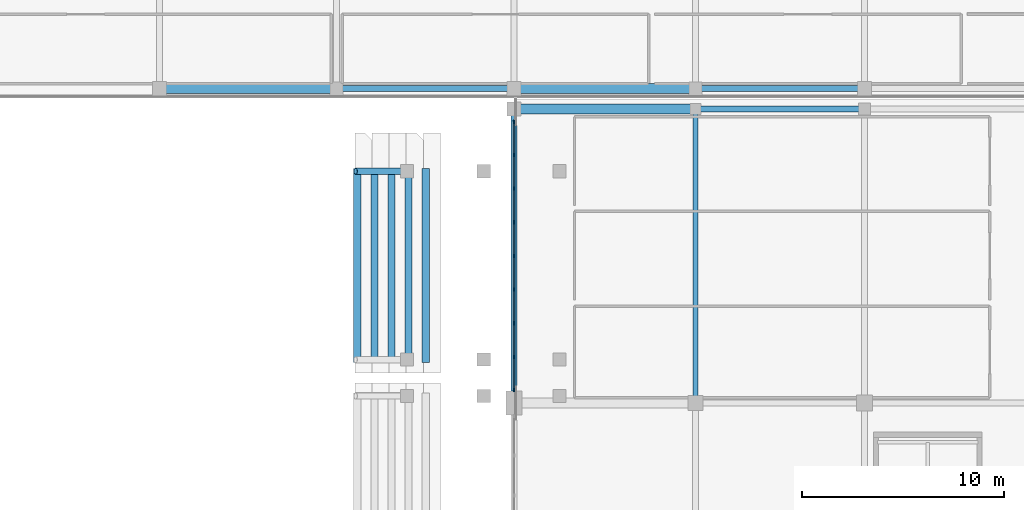
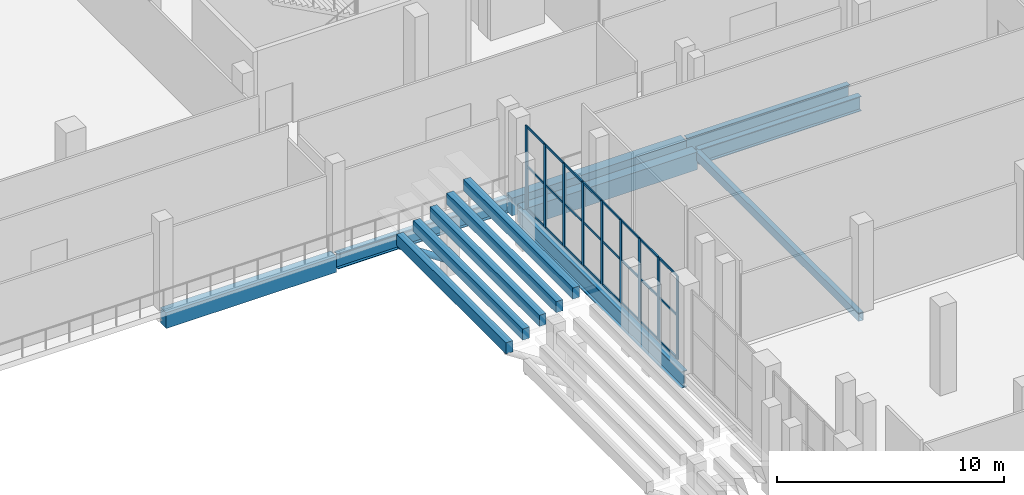
# One storey, part 55 of 142: 34 members, 13 beams, 1 element without a shape of its own.
"""IFC4 building model written with IfcOpenShell, lengths in metres."""

from ifc_helpers import new_model, si_unit, direction, frame, origin, origin_2d, place, context, subcontext, project, spatial, rectangle, hollow_rectangle, hollow_circle, i_section, extrude, material, material_profile, profile_set, type_object, element, aggregate, save


model = new_model("IFC4")

# Units and contexts
model_context = context("Model", 3, precision=1e-05, world=origin(), true_north=direction((0.0, 1.0)))
body_context = subcontext(model_context, "Body", "Model", "MODEL_VIEW")
ifc_project = project(units=[si_unit("LENGTHUNIT", "METRE"), si_unit("AREAUNIT", "SQUARE_METRE"), si_unit("VOLUMEUNIT", "CUBIC_METRE"), si_unit("PLANEANGLEUNIT", "RADIAN"), si_unit("MASSUNIT", "GRAM", prefix="KILO")], contexts=[model_context])

# Site, building, storey
site_placement = place(None, origin())
site = spatial("IfcSite", under=ifc_project, at=site_placement, CompositionType="ELEMENT")
building_placement = place(site_placement, origin())
building = spatial("IfcBuilding", under=site, at=building_placement, Name="Koshinbarg Plaza Stadium", CompositionType="ELEMENT")
storey_placement = place(building_placement, frame((0.0, 0.0, 10.199951171875)))
storey = spatial("IfcBuildingStorey", under=building, at=storey_placement, Name="L02", CompositionType="ELEMENT", Elevation=10.199951171875)

# Beams
ifc_material_1 = material(Name="Concrete C40/50", Category="concrete")
ifc_material_profile_1 = material_profile(ifc_material_1, rectangle(XDim=0.35009765625, YDim=0.60009765625, at=origin_2d()), Name="RC 350x600")
ifc_profile_set_1 = profile_set([ifc_material_profile_1], Name="Concrete C40/50")
beam_type_1 = type_object("IfcBeamType", Name="BM-RCG-01", PredefinedType="SPANDREL", material=ifc_profile_set_1)
for number, where, z_axis, x_axis, name in (
    (1, (172.6201171875, 113.89990234375, 2.52001953125), (0.0, 1.0, 0.0), (-1.0, 0.0, 0.0), "Upper tier seat bearer UT-E08-R01"),
    (2, (173.469970703125, 113.89990234375, 2.9599609375), (0.0, 1.0, 0.0), (-1.0, 0.0, 0.0), "Upper tier seat bearer UT-E08-R02"),
    (3, (174.320068359375, 113.89990234375, 3.400146484375), (0.0, 1.0, 0.0), (-1.0, 0.0, 0.0), "Upper tier seat bearer UT-E08-R03"),
    (4, (175.169921875, 113.89990234375, 3.840087890625), (0.0, 1.0, 0.0), (-1.0, 0.0, 0.0), "Upper tier seat bearer UT-E08-R04"),
    (5, (176.02001953125, 113.89990234375, 4.280029296875), (0.0, 1.0, 0.0), (-1.0, 0.0, 0.0), "Upper tier seat bearer UT-E08-R05"),
):
    element("IfcBeam", number, at=place(storey_placement, frame(where, z_axis=z_axis, x_axis=x_axis)), inside=storey, type_object=beam_type_1, Name=name, PredefinedType="SPANDREL", context=body_context, shape_type="SweptSolid", body=[
        extrude(rectangle(XDim=0.35009765625, YDim=0.60009765625, at=origin_2d()), origin(), (0.0, 0.0, 1.0), 9.650146484375),
    ])
ifc_material_profile_2 = material_profile(ifc_material_1, rectangle(XDim=0.5, YDim=0.85009765625, at=origin_2d()), Name="RC 500x850")
ifc_profile_set_2 = profile_set([ifc_material_profile_2], Name="Concrete C40/50")
beam_type_2 = type_object("IfcBeamType", Name="BM-RCG-05", PredefinedType="USERDEFINED", material=ifc_profile_set_2)
beam_1_placement = place(storey_placement, frame((162.860107421875, 127.5, -0.724853515625), z_axis=(1.0, 0.0, 0.0), x_axis=(0.0, 1.0, 0.0)))
element("IfcBeam", 6, at=beam_1_placement, inside=storey, type_object=beam_type_2, Name="L02 X girder S/15-16", ObjectType="GIRDER", PredefinedType="USERDEFINED", context=body_context, shape_type="SweptSolid", body=[
    extrude(rectangle(XDim=0.5, YDim=0.85009765625, at=origin_2d()), origin(), (0.0, 0.0, 1.0), 8.679931640625),
])
ifc_material_profile_3 = material_profile(ifc_material_1, rectangle(XDim=0.5, YDim=0.949951171875, at=origin_2d()), Name="RC 500x950")
ifc_profile_set_3 = profile_set([ifc_material_profile_3], Name="Concrete C40/50")
beam_type_3 = type_object("IfcBeamType", Name="BM-RCG-06", PredefinedType="USERDEFINED", material=ifc_profile_set_3)
for number, where, z_axis, x_axis, name in (
    (7, (180.4599609375, 126.5, -0.77490234375), (1.0, 0.0, 0.0), (0.0, 1.0, 0.0), "L02 X girder R/17-18"),
    (8, (180.4599609375, 127.5, -0.77490234375), (1.0, 0.0, 0.0), (0.0, 1.0, 0.0), "L02 X girder S/17-18"),
):
    element("IfcBeam", number, at=place(storey_placement, frame(where, z_axis=z_axis, x_axis=x_axis)), inside=storey, type_object=beam_type_3, Name=name, ObjectType="GIRDER", PredefinedType="USERDEFINED", context=body_context, shape_type="SweptSolid", body=[
        extrude(rectangle(XDim=0.5, YDim=0.949951171875, at=origin_2d()), origin(), (0.0, 0.0, 1.0), 8.880126953125),
    ])
ifc_material_2 = material(Name="Steel S355", Category="steel")
ifc_material_profile_4 = material_profile(ifc_material_2, i_section(OverallWidth=0.300048828125, OverallDepth=0.800048828125, WebThickness=0.017578125, FlangeThickness=0.032958984375, at=origin_2d()), Name="HEB 800")
ifc_profile_set_4 = profile_set([ifc_material_profile_4], Name="Steel S355")
beam_type_4 = type_object("IfcBeamType", Name="BM-SGIR-04", PredefinedType="USERDEFINED", material=ifc_profile_set_4)
beam_2_placement = place(storey_placement, frame((189.4599609375, 126.5, -0.699951171875), z_axis=(1.0, 0.0, 0.0), x_axis=(0.0, 1.0, 0.0)))
element("IfcBeam", 9, at=beam_2_placement, inside=storey, type_object=beam_type_4, Name="L02 X girder R/18-19", ObjectType="GIRDER", PredefinedType="USERDEFINED", context=body_context, shape_type="SweptSolid", body=[
    extrude(i_section(OverallWidth=0.300048828125, OverallDepth=0.800048828125, WebThickness=0.017578125, FlangeThickness=0.032958984375, at=origin_2d()), origin(), (0.0, 0.0, 1.0), 8.280029296875),
])
beam_3_placement = place(storey_placement, frame((171.659912109375, 127.5, -0.699951171875), z_axis=(1.0, 0.0, 0.0), x_axis=(0.0, 1.0, 0.0)))
element("IfcBeam", 10, at=beam_3_placement, inside=storey, type_object=beam_type_4, Name="L02 X girder S/16-17", ObjectType="GIRDER", PredefinedType="USERDEFINED", context=body_context, shape_type="SweptSolid", body=[
    extrude(i_section(OverallWidth=0.300048828125, OverallDepth=0.800048828125, WebThickness=0.017578125, FlangeThickness=0.032958984375, at=origin_2d()), origin(), (0.0, 0.0, 1.0), 8.68017578125),
])
beam_4_placement = place(storey_placement, frame((189.4599609375, 127.5, -0.699951171875), z_axis=(1.0, 0.0, 0.0), x_axis=(0.0, 1.0, 0.0)))
element("IfcBeam", 11, at=beam_4_placement, inside=storey, type_object=beam_type_4, Name="L02 X girder S/18-19", ObjectType="GIRDER", PredefinedType="USERDEFINED", context=body_context, shape_type="SweptSolid", body=[
    extrude(i_section(OverallWidth=0.300048828125, OverallDepth=0.800048828125, WebThickness=0.017578125, FlangeThickness=0.032958984375, at=origin_2d()), origin(), (0.0, 0.0, 1.0), 8.280029296875),
])
ifc_material_profile_5 = material_profile(ifc_material_2, i_section(OverallWidth=0.300048828125, OverallDepth=0.89990234375, WebThickness=0.0185546875, FlangeThickness=0.034912109375, at=origin_2d()), Name="HEB 900")
ifc_profile_set_5 = profile_set([ifc_material_profile_5], Name="Steel S355")
beam_type_5 = type_object("IfcBeamType", Name="BM-SGIR-05", PredefinedType="USERDEFINED", material=ifc_profile_set_5)
beam_5_placement = place(storey_placement, frame((180.39990234375, 111.9599609375, -0.75), z_axis=(0.0, 1.0, 0.0), x_axis=(-1.0, 0.0, 0.0)))
element("IfcBeam", 12, at=beam_5_placement, inside=storey, type_object=beam_type_5, Name="L02 Y girder 17/Q-R", ObjectType="GIRDER", PredefinedType="USERDEFINED", context=body_context, shape_type="SweptSolid", body=[
    extrude(i_section(OverallWidth=0.300048828125, OverallDepth=0.89990234375, WebThickness=0.0185546875, FlangeThickness=0.034912109375, at=origin_2d()), origin(), (0.0, 0.0, 1.0), 14.47998046875),
])
ifc_material_profile_6 = material_profile(ifc_material_2, hollow_rectangle(XDim=0.25, YDim=0.449951171875, WallThickness=0.01611328125, at=origin_2d()), Name="RHS 450x250x16")
ifc_profile_set_6 = profile_set([ifc_material_profile_6], Name="Steel S355")
beam_type_6 = type_object("IfcBeamType", Name="BM-SGIR-06", PredefinedType="USERDEFINED", material=ifc_profile_set_6)
beam_6_placement = place(storey_placement, frame((189.39990234375, 111.9599609375, -0.52490234375), z_axis=(0.0, 1.0, 0.0), x_axis=(-1.0, 0.0, 0.0)))
element("IfcBeam", 13, at=beam_6_placement, inside=storey, type_object=beam_type_6, Name="L02 Y girder 18/Q-R", ObjectType="GIRDER", PredefinedType="USERDEFINED", context=body_context, shape_type="SweptSolid", body=[
    extrude(hollow_rectangle(XDim=0.25, YDim=0.449951171875, WallThickness=0.01611328125, at=origin_2d()), origin(), (0.0, 0.0, 1.0), 14.47998046875),
])

# Curtain wall, members
ifc_material_3 = material(Name="Thermally broken anodised aluminium and low-E double glazing", Category="aluminium")
curtain_wall_type = type_object("IfcCurtainWallType", Name="CW-SYS-11", PredefinedType="NOTDEFINED", material=ifc_material_3)
curtain_wall_placement = place(storey_placement, origin())
curtain_wall = element("IfcCurtainWall", 14, at=curtain_wall_placement, inside=storey, type_object=curtain_wall_type, Name="L02 unitised curtain wall CW-L02-090", PredefinedType="NOTDEFINED")
ifc_material_4 = material(Name="Anodised aluminium mullion", Category="aluminium")
ifc_material_profile_7 = material_profile(ifc_material_4, rectangle(XDim=0.070068359375, YDim=0.179931640625, at=origin_2d()), Name="ALU 70x180")
ifc_profile_set_7 = profile_set([ifc_material_profile_7], Name="Anodised aluminium mullion")
member_type_1 = type_object("IfcMemberType", Name="CW-MUL-03", PredefinedType="MULLION", material=ifc_profile_set_7)
member_1_placement = place(storey_placement, frame((180.39990234375, 112.550048828125, 0.0), z_axis=(0.0, 0.0, 1.0), x_axis=(-1.0, 0.0, 0.0)))
member_1 = element("IfcMember", 15, at=member_1_placement, type_object=member_type_1, Name="CW11 mullion 1", PredefinedType="MULLION", context=body_context, shape_type="SweptSolid", body=[
    extrude(rectangle(XDim=0.070068359375, YDim=0.179931640625, at=origin_2d()), origin(), (0.0, 0.0, 1.0), 4.47998046875),
])
member_2_placement = place(storey_placement, frame((180.39990234375, 114.18994140625, 0.0), z_axis=(0.0, 0.0, 1.0), x_axis=(-1.0, 0.0, 0.0)))
member_2 = element("IfcMember", 16, at=member_2_placement, type_object=member_type_1, Name="CW11 mullion 2", PredefinedType="MULLION", context=body_context, shape_type="SweptSolid", body=[
    extrude(rectangle(XDim=0.070068359375, YDim=0.179931640625, at=origin_2d()), origin(), (0.0, 0.0, 1.0), 4.47998046875),
])
member_3_placement = place(storey_placement, frame((180.39990234375, 115.860107421875, 0.0), z_axis=(0.0, 0.0, 1.0), x_axis=(-1.0, 0.0, 0.0)))
member_3 = element("IfcMember", 17, at=member_3_placement, type_object=member_type_1, Name="CW11 mullion 3", PredefinedType="MULLION", context=body_context, shape_type="SweptSolid", body=[
    extrude(rectangle(XDim=0.070068359375, YDim=0.179931640625, at=origin_2d()), origin(), (0.0, 0.0, 1.0), 4.47998046875),
])
member_4_placement = place(storey_placement, frame((180.39990234375, 117.530029296875, 0.0), z_axis=(0.0, 0.0, 1.0), x_axis=(-1.0, 0.0, 0.0)))
member_4 = element("IfcMember", 18, at=member_4_placement, type_object=member_type_1, Name="CW11 mullion 4", PredefinedType="MULLION", context=body_context, shape_type="SweptSolid", body=[
    extrude(rectangle(XDim=0.070068359375, YDim=0.179931640625, at=origin_2d()), origin(), (0.0, 0.0, 1.0), 4.47998046875),
])
member_5_placement = place(storey_placement, frame((180.39990234375, 119.199951171875, 0.0), z_axis=(0.0, 0.0, 1.0), x_axis=(-1.0, 0.0, 0.0)))
member_5 = element("IfcMember", 19, at=member_5_placement, type_object=member_type_1, Name="CW11 mullion 5", PredefinedType="MULLION", context=body_context, shape_type="SweptSolid", body=[
    extrude(rectangle(XDim=0.070068359375, YDim=0.179931640625, at=origin_2d()), origin(), (0.0, 0.0, 1.0), 4.47998046875),
])
member_6_placement = place(storey_placement, frame((180.39990234375, 120.8701171875, 0.0), z_axis=(0.0, 0.0, 1.0), x_axis=(-1.0, 0.0, 0.0)))
member_6 = element("IfcMember", 20, at=member_6_placement, type_object=member_type_1, Name="CW11 mullion 6", PredefinedType="MULLION", context=body_context, shape_type="SweptSolid", body=[
    extrude(rectangle(XDim=0.070068359375, YDim=0.179931640625, at=origin_2d()), origin(), (0.0, 0.0, 1.0), 4.47998046875),
])
member_7_placement = place(storey_placement, frame((180.39990234375, 122.5400390625, 0.0), z_axis=(0.0, 0.0, 1.0), x_axis=(-1.0, 0.0, 0.0)))
member_7 = element("IfcMember", 21, at=member_7_placement, type_object=member_type_1, Name="CW11 mullion 7", PredefinedType="MULLION", context=body_context, shape_type="SweptSolid", body=[
    extrude(rectangle(XDim=0.070068359375, YDim=0.179931640625, at=origin_2d()), origin(), (0.0, 0.0, 1.0), 4.47998046875),
])
member_8_placement = place(storey_placement, frame((180.39990234375, 124.2099609375, 0.0), z_axis=(0.0, 0.0, 1.0), x_axis=(-1.0, 0.0, 0.0)))
member_8 = element("IfcMember", 22, at=member_8_placement, type_object=member_type_1, Name="CW11 mullion 8", PredefinedType="MULLION", context=body_context, shape_type="SweptSolid", body=[
    extrude(rectangle(XDim=0.070068359375, YDim=0.179931640625, at=origin_2d()), origin(), (0.0, 0.0, 1.0), 4.47998046875),
])
member_9_placement = place(storey_placement, frame((180.39990234375, 125.85009765625, 0.0), z_axis=(0.0, 0.0, 1.0), x_axis=(-1.0, 0.0, 0.0)))
member_9 = element("IfcMember", 23, at=member_9_placement, type_object=member_type_1, Name="CW11 mullion 9", PredefinedType="MULLION", context=body_context, shape_type="SweptSolid", body=[
    extrude(rectangle(XDim=0.070068359375, YDim=0.179931640625, at=origin_2d()), origin(), (0.0, 0.0, 1.0), 4.47998046875),
])
ifc_material_5 = material(Name="Anodised aluminium transom", Category="aluminium")
ifc_material_profile_8 = material_profile(ifc_material_5, rectangle(XDim=0.06005859375, YDim=0.110107421875, at=origin_2d()), Name="ALU 60x110")
ifc_profile_set_8 = profile_set([ifc_material_profile_8], Name="Anodised aluminium transom")
member_type_2 = type_object("IfcMemberType", Name="CW-TRN-01", PredefinedType="USERDEFINED", material=ifc_profile_set_8)
member_10_placement = place(storey_placement, frame((180.39990234375, 112.580078125, 0.030029296875), z_axis=(0.0, 1.0, 0.0), x_axis=(-1.0, 0.0, 0.0)))
member_10 = element("IfcMember", 24, at=member_10_placement, type_object=member_type_2, Name="CW11 transom 1.1", ObjectType="TRANSOM", PredefinedType="USERDEFINED", context=body_context, shape_type="SweptSolid", body=[
    extrude(rectangle(XDim=0.06005859375, YDim=0.110107421875, at=origin_2d()), origin(), (0.0, 0.0, 1.0), 1.579833984375),
])
member_11_placement = place(storey_placement, frame((180.39990234375, 112.580078125, 2.32958984375), z_axis=(0.0, 1.0, 0.0), x_axis=(-1.0, 0.0, 0.0)))
member_11 = element("IfcMember", 25, at=member_11_placement, type_object=member_type_2, Name="CW11 transom 1.2", ObjectType="TRANSOM", PredefinedType="USERDEFINED", context=body_context, shape_type="SweptSolid", body=[
    extrude(rectangle(XDim=0.06005859375, YDim=0.110107421875, at=origin_2d()), origin(), (0.0, 0.0, 1.0), 1.579833984375),
])
member_12_placement = place(storey_placement, frame((180.39990234375, 112.580078125, 4.449951171875), z_axis=(0.0, 1.0, 0.0), x_axis=(-1.0, 0.0, 0.0)))
member_12 = element("IfcMember", 26, at=member_12_placement, type_object=member_type_2, Name="CW11 transom 1.3", ObjectType="TRANSOM", PredefinedType="USERDEFINED", context=body_context, shape_type="SweptSolid", body=[
    extrude(rectangle(XDim=0.06005859375, YDim=0.110107421875, at=origin_2d()), origin(), (0.0, 0.0, 1.0), 1.579833984375),
])
member_13_placement = place(storey_placement, frame((180.39990234375, 114.219970703125, 0.030029296875), z_axis=(0.0, 1.0, 0.0), x_axis=(-1.0, 0.0, 0.0)))
member_13 = element("IfcMember", 27, at=member_13_placement, type_object=member_type_2, Name="CW11 transom 2.1", ObjectType="TRANSOM", PredefinedType="USERDEFINED", context=body_context, shape_type="SweptSolid", body=[
    extrude(rectangle(XDim=0.06005859375, YDim=0.110107421875, at=origin_2d()), origin(), (0.0, 0.0, 1.0), 1.610107421875),
])
member_14_placement = place(storey_placement, frame((180.39990234375, 114.219970703125, 2.32958984375), z_axis=(0.0, 1.0, 0.0), x_axis=(-1.0, 0.0, 0.0)))
member_14 = element("IfcMember", 28, at=member_14_placement, type_object=member_type_2, Name="CW11 transom 2.2", ObjectType="TRANSOM", PredefinedType="USERDEFINED", context=body_context, shape_type="SweptSolid", body=[
    extrude(rectangle(XDim=0.06005859375, YDim=0.110107421875, at=origin_2d()), origin(), (0.0, 0.0, 1.0), 1.610107421875),
])
member_15_placement = place(storey_placement, frame((180.39990234375, 114.219970703125, 4.449951171875), z_axis=(0.0, 1.0, 0.0), x_axis=(-1.0, 0.0, 0.0)))
member_15 = element("IfcMember", 29, at=member_15_placement, type_object=member_type_2, Name="CW11 transom 2.3", ObjectType="TRANSOM", PredefinedType="USERDEFINED", context=body_context, shape_type="SweptSolid", body=[
    extrude(rectangle(XDim=0.06005859375, YDim=0.110107421875, at=origin_2d()), origin(), (0.0, 0.0, 1.0), 1.610107421875),
])
member_16_placement = place(storey_placement, frame((180.39990234375, 115.889892578125, 0.030029296875), z_axis=(0.0, 1.0, 0.0), x_axis=(-1.0, 0.0, 0.0)))
member_16 = element("IfcMember", 30, at=member_16_placement, type_object=member_type_2, Name="CW11 transom 3.1", ObjectType="TRANSOM", PredefinedType="USERDEFINED", context=body_context, shape_type="SweptSolid", body=[
    extrude(rectangle(XDim=0.06005859375, YDim=0.110107421875, at=origin_2d()), origin(), (0.0, 0.0, 1.0), 1.610107421875),
])
member_17_placement = place(storey_placement, frame((180.39990234375, 115.889892578125, 2.32958984375), z_axis=(0.0, 1.0, 0.0), x_axis=(-1.0, 0.0, 0.0)))
member_17 = element("IfcMember", 31, at=member_17_placement, type_object=member_type_2, Name="CW11 transom 3.2", ObjectType="TRANSOM", PredefinedType="USERDEFINED", context=body_context, shape_type="SweptSolid", body=[
    extrude(rectangle(XDim=0.06005859375, YDim=0.110107421875, at=origin_2d()), origin(), (0.0, 0.0, 1.0), 1.610107421875),
])
member_18_placement = place(storey_placement, frame((180.39990234375, 115.889892578125, 4.449951171875), z_axis=(0.0, 1.0, 0.0), x_axis=(-1.0, 0.0, 0.0)))
member_18 = element("IfcMember", 32, at=member_18_placement, type_object=member_type_2, Name="CW11 transom 3.3", ObjectType="TRANSOM", PredefinedType="USERDEFINED", context=body_context, shape_type="SweptSolid", body=[
    extrude(rectangle(XDim=0.06005859375, YDim=0.110107421875, at=origin_2d()), origin(), (0.0, 0.0, 1.0), 1.610107421875),
])
member_19_placement = place(storey_placement, frame((180.39990234375, 117.56005859375, 0.030029296875), z_axis=(0.0, 1.0, 0.0), x_axis=(-1.0, 0.0, 0.0)))
member_19 = element("IfcMember", 33, at=member_19_placement, type_object=member_type_2, Name="CW11 transom 4.1", ObjectType="TRANSOM", PredefinedType="USERDEFINED", context=body_context, shape_type="SweptSolid", body=[
    extrude(rectangle(XDim=0.06005859375, YDim=0.110107421875, at=origin_2d()), origin(), (0.0, 0.0, 1.0), 1.60986328125),
])
member_20_placement = place(storey_placement, frame((180.39990234375, 117.56005859375, 2.32958984375), z_axis=(0.0, 1.0, 0.0), x_axis=(-1.0, 0.0, 0.0)))
member_20 = element("IfcMember", 34, at=member_20_placement, type_object=member_type_2, Name="CW11 transom 4.2", ObjectType="TRANSOM", PredefinedType="USERDEFINED", context=body_context, shape_type="SweptSolid", body=[
    extrude(rectangle(XDim=0.06005859375, YDim=0.110107421875, at=origin_2d()), origin(), (0.0, 0.0, 1.0), 1.60986328125),
])
member_21_placement = place(storey_placement, frame((180.39990234375, 117.56005859375, 4.449951171875), z_axis=(0.0, 1.0, 0.0), x_axis=(-1.0, 0.0, 0.0)))
member_21 = element("IfcMember", 35, at=member_21_placement, type_object=member_type_2, Name="CW11 transom 4.3", ObjectType="TRANSOM", PredefinedType="USERDEFINED", context=body_context, shape_type="SweptSolid", body=[
    extrude(rectangle(XDim=0.06005859375, YDim=0.110107421875, at=origin_2d()), origin(), (0.0, 0.0, 1.0), 1.60986328125),
])
member_22_placement = place(storey_placement, frame((180.39990234375, 119.22998046875, 0.030029296875), z_axis=(0.0, 1.0, 0.0), x_axis=(-1.0, 0.0, 0.0)))
member_22 = element("IfcMember", 36, at=member_22_placement, type_object=member_type_2, Name="CW11 transom 5.1", ObjectType="TRANSOM", PredefinedType="USERDEFINED", context=body_context, shape_type="SweptSolid", body=[
    extrude(rectangle(XDim=0.06005859375, YDim=0.110107421875, at=origin_2d()), origin(), (0.0, 0.0, 1.0), 1.610107421875),
])
member_23_placement = place(storey_placement, frame((180.39990234375, 119.22998046875, 2.32958984375), z_axis=(0.0, 1.0, 0.0), x_axis=(-1.0, 0.0, 0.0)))
member_23 = element("IfcMember", 37, at=member_23_placement, type_object=member_type_2, Name="CW11 transom 5.2", ObjectType="TRANSOM", PredefinedType="USERDEFINED", context=body_context, shape_type="SweptSolid", body=[
    extrude(rectangle(XDim=0.06005859375, YDim=0.110107421875, at=origin_2d()), origin(), (0.0, 0.0, 1.0), 1.610107421875),
])
member_24_placement = place(storey_placement, frame((180.39990234375, 119.22998046875, 4.449951171875), z_axis=(0.0, 1.0, 0.0), x_axis=(-1.0, 0.0, 0.0)))
member_24 = element("IfcMember", 38, at=member_24_placement, type_object=member_type_2, Name="CW11 transom 5.3", ObjectType="TRANSOM", PredefinedType="USERDEFINED", context=body_context, shape_type="SweptSolid", body=[
    extrude(rectangle(XDim=0.06005859375, YDim=0.110107421875, at=origin_2d()), origin(), (0.0, 0.0, 1.0), 1.610107421875),
])
member_25_placement = place(storey_placement, frame((180.39990234375, 120.89990234375, 0.030029296875), z_axis=(0.0, 1.0, 0.0), x_axis=(-1.0, 0.0, 0.0)))
member_25 = element("IfcMember", 39, at=member_25_placement, type_object=member_type_2, Name="CW11 transom 6.1", ObjectType="TRANSOM", PredefinedType="USERDEFINED", context=body_context, shape_type="SweptSolid", body=[
    extrude(rectangle(XDim=0.06005859375, YDim=0.110107421875, at=origin_2d()), origin(), (0.0, 0.0, 1.0), 1.610107421875),
])
member_26_placement = place(storey_placement, frame((180.39990234375, 120.89990234375, 2.32958984375), z_axis=(0.0, 1.0, 0.0), x_axis=(-1.0, 0.0, 0.0)))
member_26 = element("IfcMember", 40, at=member_26_placement, type_object=member_type_2, Name="CW11 transom 6.2", ObjectType="TRANSOM", PredefinedType="USERDEFINED", context=body_context, shape_type="SweptSolid", body=[
    extrude(rectangle(XDim=0.06005859375, YDim=0.110107421875, at=origin_2d()), origin(), (0.0, 0.0, 1.0), 1.610107421875),
])
member_27_placement = place(storey_placement, frame((180.39990234375, 120.89990234375, 4.449951171875), z_axis=(0.0, 1.0, 0.0), x_axis=(-1.0, 0.0, 0.0)))
member_27 = element("IfcMember", 41, at=member_27_placement, type_object=member_type_2, Name="CW11 transom 6.3", ObjectType="TRANSOM", PredefinedType="USERDEFINED", context=body_context, shape_type="SweptSolid", body=[
    extrude(rectangle(XDim=0.06005859375, YDim=0.110107421875, at=origin_2d()), origin(), (0.0, 0.0, 1.0), 1.610107421875),
])
member_28_placement = place(storey_placement, frame((180.39990234375, 122.570068359375, 0.030029296875), z_axis=(0.0, 1.0, 0.0), x_axis=(-1.0, 0.0, 0.0)))
member_28 = element("IfcMember", 42, at=member_28_placement, type_object=member_type_2, Name="CW11 transom 7.1", ObjectType="TRANSOM", PredefinedType="USERDEFINED", context=body_context, shape_type="SweptSolid", body=[
    extrude(rectangle(XDim=0.06005859375, YDim=0.110107421875, at=origin_2d()), origin(), (0.0, 0.0, 1.0), 1.60986328125),
])
member_29_placement = place(storey_placement, frame((180.39990234375, 122.570068359375, 2.32958984375), z_axis=(0.0, 1.0, 0.0), x_axis=(-1.0, 0.0, 0.0)))
member_29 = element("IfcMember", 43, at=member_29_placement, type_object=member_type_2, Name="CW11 transom 7.2", ObjectType="TRANSOM", PredefinedType="USERDEFINED", context=body_context, shape_type="SweptSolid", body=[
    extrude(rectangle(XDim=0.06005859375, YDim=0.110107421875, at=origin_2d()), origin(), (0.0, 0.0, 1.0), 1.60986328125),
])
member_30_placement = place(storey_placement, frame((180.39990234375, 122.570068359375, 4.449951171875), z_axis=(0.0, 1.0, 0.0), x_axis=(-1.0, 0.0, 0.0)))
member_30 = element("IfcMember", 44, at=member_30_placement, type_object=member_type_2, Name="CW11 transom 7.3", ObjectType="TRANSOM", PredefinedType="USERDEFINED", context=body_context, shape_type="SweptSolid", body=[
    extrude(rectangle(XDim=0.06005859375, YDim=0.110107421875, at=origin_2d()), origin(), (0.0, 0.0, 1.0), 1.60986328125),
])
member_31_placement = place(storey_placement, frame((180.39990234375, 124.239990234375, 0.030029296875), z_axis=(0.0, 1.0, 0.0), x_axis=(-1.0, 0.0, 0.0)))
member_31 = element("IfcMember", 45, at=member_31_placement, type_object=member_type_2, Name="CW11 transom 8.1", ObjectType="TRANSOM", PredefinedType="USERDEFINED", context=body_context, shape_type="SweptSolid", body=[
    extrude(rectangle(XDim=0.06005859375, YDim=0.110107421875, at=origin_2d()), origin(), (0.0, 0.0, 1.0), 1.580078125),
])
member_32_placement = place(storey_placement, frame((180.39990234375, 124.239990234375, 2.32958984375), z_axis=(0.0, 1.0, 0.0), x_axis=(-1.0, 0.0, 0.0)))
member_32 = element("IfcMember", 46, at=member_32_placement, type_object=member_type_2, Name="CW11 transom 8.2", ObjectType="TRANSOM", PredefinedType="USERDEFINED", context=body_context, shape_type="SweptSolid", body=[
    extrude(rectangle(XDim=0.06005859375, YDim=0.110107421875, at=origin_2d()), origin(), (0.0, 0.0, 1.0), 1.580078125),
])
member_33_placement = place(storey_placement, frame((180.39990234375, 124.239990234375, 4.449951171875), z_axis=(0.0, 1.0, 0.0), x_axis=(-1.0, 0.0, 0.0)))
member_33 = element("IfcMember", 47, at=member_33_placement, type_object=member_type_2, Name="CW11 transom 8.3", ObjectType="TRANSOM", PredefinedType="USERDEFINED", context=body_context, shape_type="SweptSolid", body=[
    extrude(rectangle(XDim=0.06005859375, YDim=0.110107421875, at=origin_2d()), origin(), (0.0, 0.0, 1.0), 1.580078125),
])
aggregate(curtain_wall, [member_1, member_2, member_3, member_4, member_5, member_6, member_7, member_8, member_9, member_10, member_11, member_12, member_13, member_14, member_15, member_16, member_17, member_18, member_19, member_20, member_21, member_22, member_23, member_24, member_25, member_26, member_27, member_28, member_29, member_30, member_31, member_32, member_33])

# Member
ifc_material_profile_9 = material_profile(ifc_material_2, hollow_circle(Radius=0.161865234375, WallThickness=0.01416015625, at=origin_2d()), Name="CHS 323.9x14.2")
ifc_profile_set_9 = profile_set([ifc_material_profile_9], Name="Steel S355")
member_type_3 = type_object("IfcMemberType", Name="MB-BRACE-01", PredefinedType="BRACE", material=ifc_profile_set_9)
member_34_placement = place(storey_placement, frame((175.080078125, 123.39990234375, 0.582763671875), z_axis=(-0.8349280335, 0.0, 0.550359136269), x_axis=(0.0, -1.0, 0.0)))
element("IfcMember", 48, at=member_34_placement, inside=storey, type_object=member_type_3, Name="Upper tier cantilever knee strut UT-E08-R", PredefinedType="BRACE", context=body_context, shape_type="SweptSolid", body=[
    extrude(hollow_circle(Radius=0.161865234375, WallThickness=0.01416015625, at=origin_2d()), origin(), (0.0, 0.0, 1.0), 3.042236328125),
])

save(model, "model.ifc")
